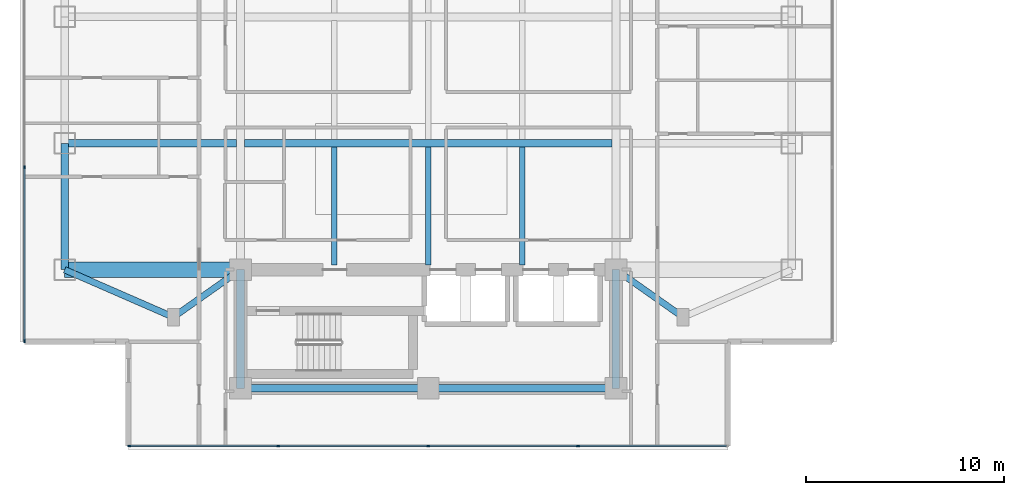
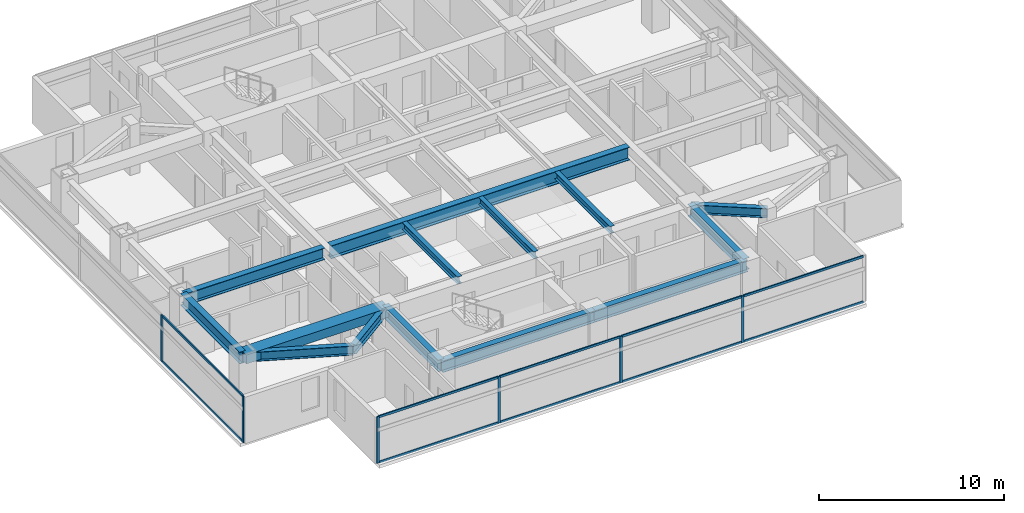
# One storey, part 2 of 27: 16 members, 14 beams, 2 elements without a shape of their own.
"""IFC4 building model written with IfcOpenShell, lengths in metres."""

from ifc_helpers import new_model, si_unit, direction, frame, origin, origin_2d, place, context, subcontext, project, spatial, rectangle, i_section, extrude, material, material_profile, profile_set, type_object, element, aggregate, save


model = new_model("IFC4")

# Units and contexts
model_context = context("Model", 3, precision=1e-05, world=origin(), true_north=direction((0.0, 1.0)))
body_context = subcontext(model_context, "Body", "Model", "MODEL_VIEW")
ifc_project = project(units=[si_unit("LENGTHUNIT", "METRE"), si_unit("AREAUNIT", "SQUARE_METRE"), si_unit("VOLUMEUNIT", "CUBIC_METRE"), si_unit("PLANEANGLEUNIT", "RADIAN"), si_unit("MASSUNIT", "GRAM", prefix="KILO")], contexts=[model_context])

# Site, building, storey
site_placement = place(None, origin())
site = spatial("IfcSite", under=ifc_project, at=site_placement, CompositionType="ELEMENT")
building_placement = place(site_placement, origin())
building = spatial("IfcBuilding", under=site, at=building_placement, Name="Mirazonda Arch Towers", CompositionType="ELEMENT")
storey_placement = place(building_placement, frame((0.0, 0.0, 124.699951171875)))
storey = spatial("IfcBuildingStorey", under=building, at=storey_placement, Name="L35", CompositionType="ELEMENT", Elevation=124.699951171875)

# Beams
ifc_material_1 = material(Name="Steel ASTM A992 Grade 50", Category="steel")
ifc_material_profile_1 = material_profile(ifc_material_1, i_section(OverallWidth=0.381103515625, OverallDepth=0.77294921875, WebThickness=0.0166015625, FlangeThickness=0.027099609375, at=origin_2d()), Name="W30X173")
ifc_profile_set_1 = profile_set([ifc_material_profile_1], Name="Steel ASTM A992 Grade 50")
beam_type_1 = type_object("IfcBeamType", Name="BM-EXT-W30X173", PredefinedType="USERDEFINED", material=ifc_profile_set_1)
beam_1_placement = place(storey_placement, frame((2.10009765625, 18.39990234375, 2.693603515625), z_axis=(0.0, 1.0, 0.0), x_axis=(-1.0, 0.0, 0.0)))
element("IfcBeam", 1, at=beam_1_placement, inside=storey, type_object=beam_type_1, Name="L35 Floor Beam BM-T1-L35-NS-W-18", ObjectType="GIRDER", PredefinedType="USERDEFINED", context=body_context, shape_type="SweptSolid", body=[
    extrude(i_section(OverallWidth=0.381103515625, OverallDepth=0.77294921875, WebThickness=0.0166015625, FlangeThickness=0.027099609375, at=origin_2d()), origin(), (0.0, 0.0, 1.0), 6.400146484375),
])
ifc_material_profile_2 = material_profile(ifc_material_1, i_section(OverallWidth=0.280029296875, OverallDepth=0.462890625, WebThickness=0.0107421875, FlangeThickness=0.017333984375, at=origin_2d()), Name="W18X76")
ifc_profile_set_2 = profile_set([ifc_material_profile_2], Name="Steel ASTM A992 Grade 50")
beam_type_2 = type_object("IfcBeamType", Name="BM-INT-W18X76", PredefinedType="JOIST", material=ifc_profile_set_2)
for number, where, z_axis, x_axis, name in (
    (2, (15.75, 18.639892578125, 2.8486328125), (0.0, 1.0, 0.0), (-1.0, 0.0, 0.0), "L35 Floor Beam BM-T1-L35-J-157-18"),
    (3, (20.5, 18.639892578125, 2.8486328125), (0.0, 1.0, 0.0), (-1.0, 0.0, 0.0), "L35 Floor Beam BM-T1-L35-J-205-18"),
    (4, (25.25, 18.639892578125, 2.8486328125), (0.0, 1.0, 0.0), (-1.0, 0.0, 0.0), "L35 Floor Beam BM-T1-L35-J-252-18"),
):
    element("IfcBeam", number, at=place(storey_placement, frame(where, z_axis=z_axis, x_axis=x_axis)), inside=storey, type_object=beam_type_2, Name=name, PredefinedType="JOIST", context=body_context, shape_type="SweptSolid", body=[
        extrude(i_section(OverallWidth=0.280029296875, OverallDepth=0.462890625, WebThickness=0.0107421875, FlangeThickness=0.017333984375, at=origin_2d()), origin(), (0.0, 0.0, 1.0), 5.964111328125),
    ])
ifc_material_profile_3 = material_profile(ifc_material_1, i_section(OverallWidth=0.324951171875, OverallDepth=0.615966796875, WebThickness=0.013916015625, FlangeThickness=0.021484375, at=origin_2d()), Name="W24X117")
ifc_profile_set_3 = profile_set([ifc_material_profile_3], Name="Steel ASTM A992 Grade 50")
beam_type_3 = type_object("IfcBeamType", Name="BM-INT-W24X117", PredefinedType="BEAM", material=ifc_profile_set_3)
beam_2_placement = place(storey_placement, frame((7.60009765625, 16.0, 2.77197265625), z_axis=(0.816971114901, 0.576678591087, 0.0), x_axis=(-0.576678591087, 0.816971114901, 0.0)))
element("IfcBeam", 5, at=beam_2_placement, inside=storey, type_object=beam_type_3, Name="L35 Floor Beam BM-T1-L35-PL-SW1", PredefinedType="BEAM", context=body_context, shape_type="SweptSolid", body=[
    extrude(i_section(OverallWidth=0.324951171875, OverallDepth=0.615966796875, WebThickness=0.013916015625, FlangeThickness=0.021484375, at=origin_2d()), origin(), (0.0, 0.0, 1.0), 4.16162109375),
])
beam_3_placement = place(storey_placement, frame((7.60009765625, 16.0, 2.77197265625), z_axis=(-0.916545343703, 0.399930785183, 0.0), x_axis=(-0.399930785183, -0.916545343703, 0.0)))
element("IfcBeam", 6, at=beam_3_placement, inside=storey, type_object=beam_type_3, Name="L35 Floor Beam BM-T1-L35-PL-SW2", PredefinedType="BEAM", context=body_context, shape_type="SweptSolid", body=[
    extrude(i_section(OverallWidth=0.324951171875, OverallDepth=0.615966796875, WebThickness=0.013916015625, FlangeThickness=0.021484375, at=origin_2d()), origin(), (0.0, 0.0, 1.0), 6.000732421875),
])
beam_4_placement = place(storey_placement, frame((33.39990234375, 16.0, 2.77197265625), z_axis=(-0.816971114901, 0.576678591087, 0.0), x_axis=(-0.576678591087, -0.816971114901, 0.0)))
element("IfcBeam", 7, at=beam_4_placement, inside=storey, type_object=beam_type_3, Name="L35 Floor Beam BM-T1-L35-PL-SE1", PredefinedType="BEAM", context=body_context, shape_type="SweptSolid", body=[
    extrude(i_section(OverallWidth=0.324951171875, OverallDepth=0.615966796875, WebThickness=0.013916015625, FlangeThickness=0.021484375, at=origin_2d()), origin(), (0.0, 0.0, 1.0), 4.16162109375),
])
ifc_material_profile_4 = material_profile(ifc_material_1, i_section(OverallWidth=0.381103515625, OverallDepth=0.77294921875, WebThickness=0.0166015625, FlangeThickness=0.027099609375, at=origin_2d()), Name="W30X173")
ifc_profile_set_4 = profile_set([ifc_material_profile_4], Name="Steel ASTM A992 Grade 50")
beam_type_4 = type_object("IfcBeamType", Name="BM-INT-W30X173", PredefinedType="USERDEFINED", material=ifc_profile_set_4)
beam_5_placement = place(storey_placement, frame((2.10009765625, 24.800048828125, 2.693603515625), z_axis=(1.0, 0.0, 0.0), x_axis=(0.0, 1.0, 0.0)))
element("IfcBeam", 8, at=beam_5_placement, inside=storey, type_object=beam_type_4, Name="L35 Floor Beam BM-T1-L35-GW2", ObjectType="GIRDER", PredefinedType="USERDEFINED", context=body_context, shape_type="SweptSolid", body=[
    extrude(i_section(OverallWidth=0.381103515625, OverallDepth=0.77294921875, WebThickness=0.0166015625, FlangeThickness=0.027099609375, at=origin_2d()), origin(), (0.0, 0.0, 1.0), 8.699951171875),
])
for number, where, z_axis, x_axis, name in (
    (9, (11.0, 12.39990234375, 2.693603515625), (1.0, 0.0, 0.0), (0.0, 1.0, 0.0), "L35 Floor Beam BM-T1-L35-CS1"),
    (10, (20.5, 12.39990234375, 2.693603515625), (1.0, 0.0, 0.0), (0.0, 1.0, 0.0), "L35 Floor Beam BM-T1-L35-CS2"),
):
    element("IfcBeam", number, at=place(storey_placement, frame(where, z_axis=z_axis, x_axis=x_axis)), inside=storey, type_object=beam_type_4, Name=name, ObjectType="GIRDER", PredefinedType="USERDEFINED", context=body_context, shape_type="SweptSolid", body=[
        extrude(i_section(OverallWidth=0.381103515625, OverallDepth=0.77294921875, WebThickness=0.0166015625, FlangeThickness=0.027099609375, at=origin_2d()), origin(), (0.0, 0.0, 1.0), 9.5),
    ])
for number, where, z_axis, x_axis, name in (
    (11, (11.0, 12.39990234375, 2.693603515625), (0.0, 1.0, 0.0), (-1.0, 0.0, 0.0), "L35 Floor Beam BM-T1-L35-CSW"),
    (12, (30.0, 12.39990234375, 2.693603515625), (0.0, 1.0, 0.0), (-1.0, 0.0, 0.0), "L35 Floor Beam BM-T1-L35-CSE"),
):
    element("IfcBeam", number, at=place(storey_placement, frame(where, z_axis=z_axis, x_axis=x_axis)), inside=storey, type_object=beam_type_4, Name=name, ObjectType="GIRDER", PredefinedType="USERDEFINED", context=body_context, shape_type="SweptSolid", body=[
        extrude(i_section(OverallWidth=0.381103515625, OverallDepth=0.77294921875, WebThickness=0.0166015625, FlangeThickness=0.027099609375, at=origin_2d()), origin(), (0.0, 0.0, 1.0), 6.0),
    ])
ifc_material_profile_5 = material_profile(ifc_material_1, i_section(OverallWidth=0.39990234375, OverallDepth=0.85595703125, WebThickness=0.018310546875, FlangeThickness=0.029296875, at=origin_2d()), Name="W33X201")
ifc_profile_set_5 = profile_set([ifc_material_profile_5], Name="Steel ASTM A992 Grade 50")
beam_type_5 = type_object("IfcBeamType", Name="BM-INT-W33X201", PredefinedType="USERDEFINED", material=ifc_profile_set_5)
beam_6_placement = place(storey_placement, frame((11.199951171875, 24.800048828125, 2.652099609375), z_axis=(1.0, 0.0, 0.0), x_axis=(0.0, 1.0, 0.0)))
element("IfcBeam", 13, at=beam_6_placement, inside=storey, type_object=beam_type_5, Name="L35 Floor Beam BM-T1-L35-GC2", ObjectType="GIRDER", PredefinedType="USERDEFINED", context=body_context, shape_type="SweptSolid", body=[
    extrude(i_section(OverallWidth=0.39990234375, OverallDepth=0.85595703125, WebThickness=0.018310546875, FlangeThickness=0.029296875, at=origin_2d()), origin(), (0.0, 0.0, 1.0), 18.60009765625),
])
ifc_material_2 = material(Name="Concrete C60/75", Category="concrete")
ifc_material_profile_6 = material_profile(ifc_material_2, rectangle(XDim=0.800048828125, YDim=0.60009765625, at=origin_2d()), Name="RCCB800x600")
ifc_profile_set_6 = profile_set([ifc_material_profile_6], Name="Concrete C60/75")
beam_type_6 = type_object("IfcBeamType", Name="CB-INT-RCCB800x600", PredefinedType="SPANDREL", material=ifc_profile_set_6)
beam_7_placement = place(storey_placement, frame((2.10009765625, 18.39990234375, 2.780029296875), z_axis=(1.0, 0.0, 0.0), x_axis=(0.0, 1.0, 0.0)))
element("IfcBeam", 14, at=beam_7_placement, inside=storey, type_object=beam_type_6, Name="L35 Floor Beam CBC-T1-L35-SW", PredefinedType="SPANDREL", context=body_context, shape_type="SweptSolid", body=[
    extrude(rectangle(XDim=0.800048828125, YDim=0.60009765625, at=origin_2d()), origin(), (0.0, 0.0, 1.0), 8.89990234375),
])

# Curtain wall, members
ifc_material_3 = material(Name="Anodised Aluminium and Low-E Glass", Category="aluminium")
curtain_wall_type = type_object("IfcCurtainWallType", Name="CW-HTL-UNIT", PredefinedType="NOTDEFINED", material=ifc_material_3)
curtain_wall_1_placement = place(storey_placement, origin())
curtain_wall_1 = element("IfcCurtainWall", 15, at=curtain_wall_1_placement, inside=storey, type_object=curtain_wall_type, Name="L35 T1 S Facade CW-L35-T1-S", PredefinedType="NOTDEFINED")
ifc_material_4 = material(Name="Anodised Aluminium Alloy", Category="aluminium")
ifc_material_profile_7 = material_profile(ifc_material_4, rectangle(XDim=0.074951171875, YDim=0.1650390625, at=origin_2d()), Name="ALU-MULL-75x165")
ifc_profile_set_7 = profile_set([ifc_material_profile_7], Name="Anodised Aluminium Alloy")
member_type_1 = type_object("IfcMemberType", Name="MULL-CW-HTL-UNIT", PredefinedType="MULLION", material=ifc_profile_set_7)
member_1_placement = place(storey_placement, frame((28.0849609375, 9.48388671875, 0.0), z_axis=(0.0, 0.0, 1.0), x_axis=(0.0, -1.0, 0.0)))
member_1 = element("IfcMember", 16, at=member_1_placement, type_object=member_type_1, Name="CW-112 mullion 2", PredefinedType="MULLION", context=body_context, shape_type="SweptSolid", body=[
    extrude(rectangle(XDim=0.074951171875, YDim=0.1650390625, at=origin_2d()), origin(), (0.0, 0.0, 1.0), 3.06005859375),
])
member_2_placement = place(storey_placement, frame((20.5, 9.48388671875, 0.0), z_axis=(0.0, 0.0, 1.0), x_axis=(0.0, -1.0, 0.0)))
member_2 = element("IfcMember", 17, at=member_2_placement, type_object=member_type_1, Name="CW-112 mullion 3", PredefinedType="MULLION", context=body_context, shape_type="SweptSolid", body=[
    extrude(rectangle(XDim=0.074951171875, YDim=0.1650390625, at=origin_2d()), origin(), (0.0, 0.0, 1.0), 3.06005859375),
])
member_3_placement = place(storey_placement, frame((12.9150390625, 9.48388671875, 0.0), z_axis=(0.0, 0.0, 1.0), x_axis=(0.0, -1.0, 0.0)))
member_3 = element("IfcMember", 18, at=member_3_placement, type_object=member_type_1, Name="CW-112 mullion 4", PredefinedType="MULLION", context=body_context, shape_type="SweptSolid", body=[
    extrude(rectangle(XDim=0.074951171875, YDim=0.1650390625, at=origin_2d()), origin(), (0.0, 0.0, 1.0), 3.06005859375),
])
member_4_placement = place(storey_placement, frame((5.367431640625, 9.48388671875, 0.0), z_axis=(0.0, 0.0, 1.0), x_axis=(0.0, -1.0, 0.0)))
member_4 = element("IfcMember", 19, at=member_4_placement, type_object=member_type_1, Name="CW-112 mullion 5", PredefinedType="MULLION", context=body_context, shape_type="SweptSolid", body=[
    extrude(rectangle(XDim=0.074951171875, YDim=0.1650390625, at=origin_2d()), origin(), (0.0, 0.0, 1.0), 3.06005859375),
])

curtain_wall_2_placement = place(storey_placement, origin())
curtain_wall_2 = element("IfcCurtainWall", 20, at=curtain_wall_2_placement, inside=storey, type_object=curtain_wall_type, Name="L35 T1 W Facade CW-L35-T1-W", PredefinedType="NOTDEFINED")
member_5_placement = place(storey_placement, frame((0.06005859375, 23.584716796875, 0.0), z_axis=(0.0, 0.0, 1.0), x_axis=(1.0, 0.0, 0.0)))
member_5 = element("IfcMember", 21, at=member_5_placement, type_object=member_type_1, Name="CW-112 mullion 3", PredefinedType="MULLION", context=body_context, shape_type="SweptSolid", body=[
    extrude(rectangle(XDim=0.074951171875, YDim=0.1650390625, at=origin_2d()), origin(), (0.0, 0.0, 1.0), 3.06005859375),
])
member_6_placement = place(storey_placement, frame((0.06005859375, 14.79150390625, 0.0), z_axis=(0.0, 0.0, 1.0), x_axis=(1.0, 0.0, 0.0)))
member_6 = element("IfcMember", 22, at=member_6_placement, type_object=member_type_1, Name="CW-112 mullion 4", PredefinedType="MULLION", context=body_context, shape_type="SweptSolid", body=[
    extrude(rectangle(XDim=0.074951171875, YDim=0.1650390625, at=origin_2d()), origin(), (0.0, 0.0, 1.0), 3.06005859375),
])

# Member
ifc_material_profile_8 = material_profile(ifc_material_4, rectangle(XDim=0.074951171875, YDim=0.14501953125, at=origin_2d()), Name="ALU-TRAN-75x145")
ifc_profile_set_8 = profile_set([ifc_material_profile_8], Name="Anodised Aluminium Alloy")
member_type_2 = type_object("IfcMemberType", Name="TRAN-CW-HTL-UNIT", PredefinedType="USERDEFINED", material=ifc_profile_set_8)
member_7_placement = place(storey_placement, frame((35.594970703125, 9.48388671875, 0.03759765625), z_axis=(-1.0, 0.0, 0.0), x_axis=(0.0, -1.0, 0.0)))
member_7 = element("IfcMember", 23, at=member_7_placement, type_object=member_type_2, Name="CW-112 transom 1.1", ObjectType="TRANSOM", PredefinedType="USERDEFINED", context=body_context, shape_type="SweptSolid", body=[
    extrude(rectangle(XDim=0.074951171875, YDim=0.14501953125, at=origin_2d()), origin(), (0.0, 0.0, 1.0), 7.472412109375),
])

member_8_placement = place(storey_placement, frame((35.594970703125, 9.48388671875, 3.0224609375), z_axis=(-1.0, 0.0, 0.0), x_axis=(0.0, -1.0, 0.0)))
member_8 = element("IfcMember", 24, at=member_8_placement, type_object=member_type_2, Name="CW-112 transom 1.2", ObjectType="TRANSOM", PredefinedType="USERDEFINED", context=body_context, shape_type="SweptSolid", body=[
    extrude(rectangle(XDim=0.074951171875, YDim=0.14501953125, at=origin_2d()), origin(), (0.0, 0.0, 1.0), 7.472412109375),
])

member_9_placement = place(storey_placement, frame((28.047607421875, 9.48388671875, 0.03759765625), z_axis=(-1.0, 0.0, 0.0), x_axis=(0.0, -1.0, 0.0)))
member_9 = element("IfcMember", 25, at=member_9_placement, type_object=member_type_2, Name="CW-112 transom 2.1", ObjectType="TRANSOM", PredefinedType="USERDEFINED", context=body_context, shape_type="SweptSolid", body=[
    extrude(rectangle(XDim=0.074951171875, YDim=0.14501953125, at=origin_2d()), origin(), (0.0, 0.0, 1.0), 7.510009765625),
])

member_10_placement = place(storey_placement, frame((28.047607421875, 9.48388671875, 3.0224609375), z_axis=(-1.0, 0.0, 0.0), x_axis=(0.0, -1.0, 0.0)))
member_10 = element("IfcMember", 26, at=member_10_placement, type_object=member_type_2, Name="CW-112 transom 2.2", ObjectType="TRANSOM", PredefinedType="USERDEFINED", context=body_context, shape_type="SweptSolid", body=[
    extrude(rectangle(XDim=0.074951171875, YDim=0.14501953125, at=origin_2d()), origin(), (0.0, 0.0, 1.0), 7.510009765625),
])

member_11_placement = place(storey_placement, frame((20.46240234375, 9.48388671875, 0.03759765625), z_axis=(-1.0, 0.0, 0.0), x_axis=(0.0, -1.0, 0.0)))
member_11 = element("IfcMember", 27, at=member_11_placement, type_object=member_type_2, Name="CW-112 transom 3.1", ObjectType="TRANSOM", PredefinedType="USERDEFINED", context=body_context, shape_type="SweptSolid", body=[
    extrude(rectangle(XDim=0.074951171875, YDim=0.14501953125, at=origin_2d()), origin(), (0.0, 0.0, 1.0), 7.510009765625),
])

member_12_placement = place(storey_placement, frame((20.46240234375, 9.48388671875, 3.0224609375), z_axis=(-1.0, 0.0, 0.0), x_axis=(0.0, -1.0, 0.0)))
member_12 = element("IfcMember", 28, at=member_12_placement, type_object=member_type_2, Name="CW-112 transom 3.2", ObjectType="TRANSOM", PredefinedType="USERDEFINED", context=body_context, shape_type="SweptSolid", body=[
    extrude(rectangle(XDim=0.074951171875, YDim=0.14501953125, at=origin_2d()), origin(), (0.0, 0.0, 1.0), 7.510009765625),
])

member_13_placement = place(storey_placement, frame((12.87744140625, 9.48388671875, 0.03759765625), z_axis=(-1.0, 0.0, 0.0), x_axis=(0.0, -1.0, 0.0)))
member_13 = element("IfcMember", 29, at=member_13_placement, type_object=member_type_2, Name="CW-112 transom 4.1", ObjectType="TRANSOM", PredefinedType="USERDEFINED", context=body_context, shape_type="SweptSolid", body=[
    extrude(rectangle(XDim=0.074951171875, YDim=0.14501953125, at=origin_2d()), origin(), (0.0, 0.0, 1.0), 7.472412109375),
])

member_14_placement = place(storey_placement, frame((12.87744140625, 9.48388671875, 3.0224609375), z_axis=(-1.0, 0.0, 0.0), x_axis=(0.0, -1.0, 0.0)))
member_14 = element("IfcMember", 30, at=member_14_placement, type_object=member_type_2, Name="CW-112 transom 4.2", ObjectType="TRANSOM", PredefinedType="USERDEFINED", context=body_context, shape_type="SweptSolid", body=[
    extrude(rectangle(XDim=0.074951171875, YDim=0.14501953125, at=origin_2d()), origin(), (0.0, 0.0, 1.0), 7.472412109375),
])

aggregate(curtain_wall_1, [member_1, member_2, member_3, member_4, member_7, member_8, member_9, member_10, member_11, member_12, member_13, member_14])

member_15_placement = place(storey_placement, frame((0.06005859375, 23.547119140625, 0.03759765625), z_axis=(0.0, -1.0, 0.0), x_axis=(1.0, 0.0, 0.0)))
member_15 = element("IfcMember", 31, at=member_15_placement, type_object=member_type_2, Name="CW-112 transom 3.1", ObjectType="TRANSOM", PredefinedType="USERDEFINED", context=body_context, shape_type="SweptSolid", body=[
    extrude(rectangle(XDim=0.074951171875, YDim=0.14501953125, at=origin_2d()), origin(), (0.0, 0.0, 1.0), 8.718017578125),
])

member_16_placement = place(storey_placement, frame((0.06005859375, 23.547119140625, 3.0224609375), z_axis=(0.0, -1.0, 0.0), x_axis=(1.0, 0.0, 0.0)))
member_16 = element("IfcMember", 32, at=member_16_placement, type_object=member_type_2, Name="CW-112 transom 3.2", ObjectType="TRANSOM", PredefinedType="USERDEFINED", context=body_context, shape_type="SweptSolid", body=[
    extrude(rectangle(XDim=0.074951171875, YDim=0.14501953125, at=origin_2d()), origin(), (0.0, 0.0, 1.0), 8.718017578125),
])

aggregate(curtain_wall_2, [member_5, member_6, member_15, member_16])

save(model, "model.ifc")
